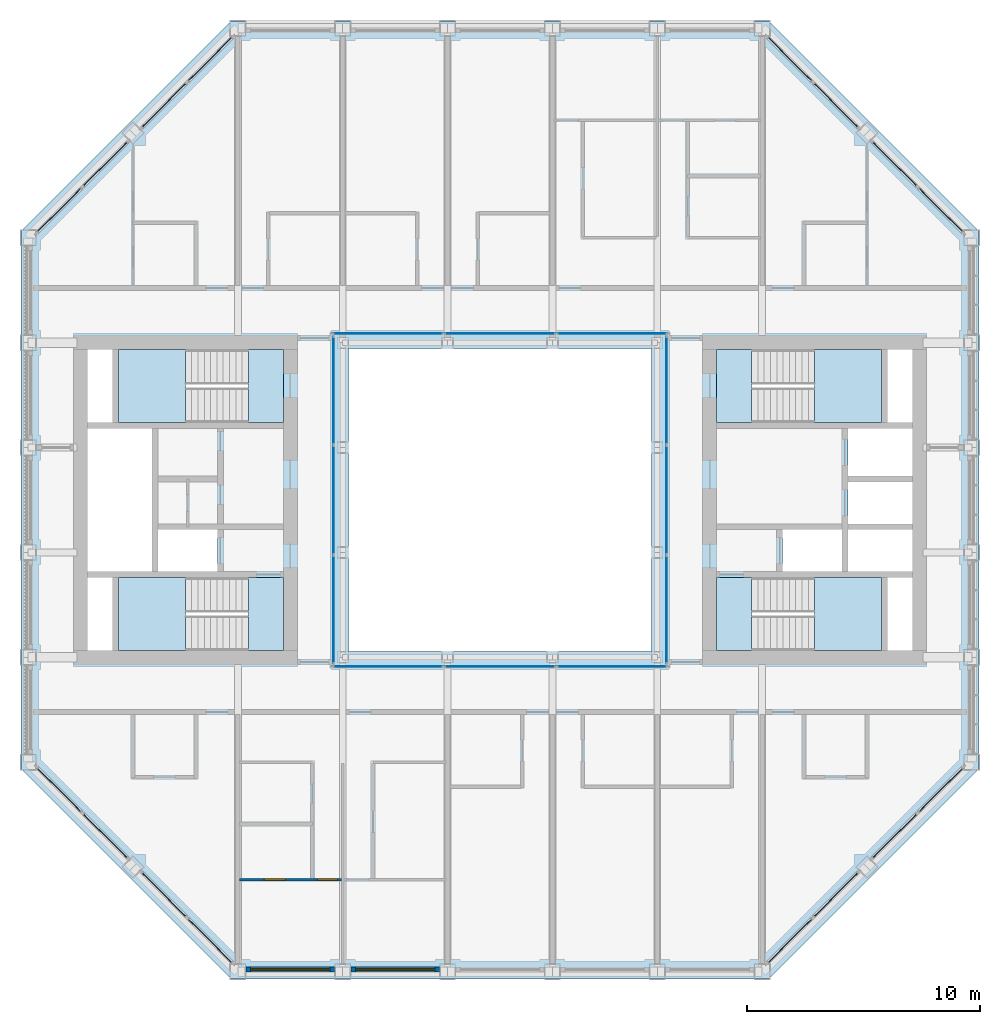
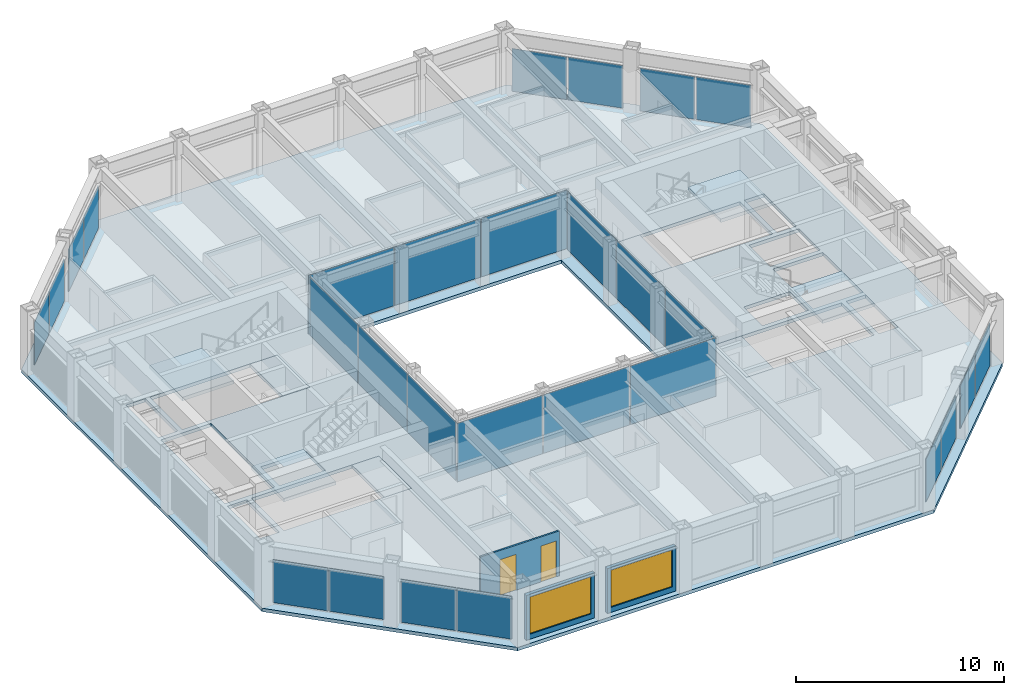
# One storey, part 8 of 18: 28 plates, 9 slabs, 3 walls, 2 doors, 2 windows, 4 openings, 16 elements without a shape of their own.
"""IFC4 building model written with IfcOpenShell, lengths in metres."""

from ifc_helpers import new_model, si_unit, direction, frame, frame_2d, origin, origin_2d, place, context, subcontext, project, spatial, polyline, rectangle, outline, extrude, material, layer, layer_set, type_object, element, fill, aggregate, save


model = new_model("IFC4")

# Units and contexts
model_context = context("Model", 3, precision=1e-05, world=origin(), true_north=direction((0.0, 1.0)))
body_context = subcontext(model_context, "Body", "Model", "MODEL_VIEW")
ifc_project = project(units=[si_unit("LENGTHUNIT", "METRE"), si_unit("AREAUNIT", "SQUARE_METRE"), si_unit("VOLUMEUNIT", "CUBIC_METRE"), si_unit("PLANEANGLEUNIT", "RADIAN"), si_unit("MASSUNIT", "GRAM", prefix="KILO")], contexts=[model_context])

# Site, building, storey
site_placement = place(None, origin())
site = spatial("IfcSite", under=ifc_project, at=site_placement, CompositionType="ELEMENT")
building_placement = place(site_placement, origin())
building = spatial("IfcBuilding", under=site, at=building_placement, Name="Msasa Ring Tower", CompositionType="ELEMENT")
storey_placement = place(building_placement, frame((0.0, 0.0, 230.800048828125)))
storey = spatial("IfcBuildingStorey", under=building, at=storey_placement, Name="L60", CompositionType="ELEMENT", Elevation=230.800048828125)

# Curtain wall, plates
ifc_material_1 = material(Name="Aluminium curtain wall with clear glass", Category="aluminium")
curtain_wall_type_1 = type_object("IfcCurtainWallType", Name="CW-C CHAMFER CORNER CURTAIN WALL", PredefinedType="NOTDEFINED", material=ifc_material_1)
curtain_wall_1_placement = place(storey_placement, origin())
curtain_wall_1 = element("IfcCurtainWall", 1, at=curtain_wall_1_placement, inside=storey, type_object=curtain_wall_type_1, Name="Chamfer corner curtain wall SE L60", PredefinedType="NOTDEFINED")
ifc_material_2 = material(Name="Clear laminated insulating glass unit", Category="glass")
ifc_layer_1 = layer(ifc_material_2, 0.031982421875)
ifc_layer_set_1 = layer_set([ifc_layer_1], Name="CW-C GLASS PANEL 32")
plate_type_1 = type_object("IfcPlateType", Name="CW-C GLASS PANEL 32", PredefinedType="CURTAIN_PANEL", material=ifc_layer_set_1)
plate_1_placement = place(storey_placement, frame((12.44140625, -18.917236328125, 0.06494140625), z_axis=(0.0, 0.0, 1.0), x_axis=(0.707106781187, 0.707106781187, 0.0)))
plate_1 = element("IfcPlate", 2, at=plate_1_placement, type_object=plate_type_1, Name="CW-C panel 1.1", PredefinedType="CURTAIN_PANEL", context=body_context, shape_type="SweptSolid", body=[
    extrude(rectangle(XDim=2.7294921875, YDim=0.031982421875, at=origin_2d()), origin(), (0.0, 0.0, 1.0), 2.4990234375),
])
plate_2_placement = place(storey_placement, frame((14.417236328125, -16.94140625, 0.06494140625), z_axis=(0.0, 0.0, 1.0), x_axis=(0.707106781187, 0.707106781187, 0.0)))
plate_2 = element("IfcPlate", 3, at=plate_2_placement, type_object=plate_type_1, Name="CW-C panel 2.1", PredefinedType="CURTAIN_PANEL", context=body_context, shape_type="SweptSolid", body=[
    extrude(rectangle(XDim=2.7294921875, YDim=0.031982421875, at=origin_2d()), origin(), (0.0, 0.0, 1.0), 2.4990234375),
])
aggregate(curtain_wall_1, [plate_1, plate_2])

curtain_wall_2_placement = place(storey_placement, origin())
curtain_wall_2 = element("IfcCurtainWall", 4, at=curtain_wall_2_placement, inside=storey, type_object=curtain_wall_type_1, Name="Chamfer corner curtain wall SE L60", PredefinedType="NOTDEFINED")
plate_3_placement = place(storey_placement, frame((16.94140625, -14.417236328125, 0.06494140625), z_axis=(0.0, 0.0, 1.0), x_axis=(0.707106781187, 0.707106781187, 0.0)))
plate_3 = element("IfcPlate", 5, at=plate_3_placement, type_object=plate_type_1, Name="CW-C panel 1.1", PredefinedType="CURTAIN_PANEL", context=body_context, shape_type="SweptSolid", body=[
    extrude(rectangle(XDim=2.7294921875, YDim=0.031982421875, at=origin_2d()), origin(), (0.0, 0.0, 1.0), 2.4990234375),
])
plate_4_placement = place(storey_placement, frame((18.917236328125, -12.44140625, 0.06494140625), z_axis=(0.0, 0.0, 1.0), x_axis=(0.707106781187, 0.707106781187, 0.0)))
plate_4 = element("IfcPlate", 6, at=plate_4_placement, type_object=plate_type_1, Name="CW-C panel 2.1", PredefinedType="CURTAIN_PANEL", context=body_context, shape_type="SweptSolid", body=[
    extrude(rectangle(XDim=2.7294921875, YDim=0.031982421875, at=origin_2d()), origin(), (0.0, 0.0, 1.0), 2.4990234375),
])
aggregate(curtain_wall_2, [plate_3, plate_4])

curtain_wall_3_placement = place(storey_placement, origin())
curtain_wall_3 = element("IfcCurtainWall", 7, at=curtain_wall_3_placement, inside=storey, type_object=curtain_wall_type_1, Name="Chamfer corner curtain wall NE L60", PredefinedType="NOTDEFINED")
plate_5_placement = place(storey_placement, frame((14.417236328125, 16.94140625, 0.06494140625), z_axis=(0.0, 0.0, 1.0), x_axis=(-0.707106781187, 0.707106781187, 0.0)))
plate_5 = element("IfcPlate", 8, at=plate_5_placement, type_object=plate_type_1, Name="CW-C panel 1.1", PredefinedType="CURTAIN_PANEL", context=body_context, shape_type="SweptSolid", body=[
    extrude(rectangle(XDim=2.7294921875, YDim=0.031982421875, at=origin_2d()), origin(), (0.0, 0.0, 1.0), 2.4990234375),
])
plate_6_placement = place(storey_placement, frame((12.44140625, 18.917236328125, 0.06494140625), z_axis=(0.0, 0.0, 1.0), x_axis=(-0.707106781187, 0.707106781187, 0.0)))
plate_6 = element("IfcPlate", 9, at=plate_6_placement, type_object=plate_type_1, Name="CW-C panel 2.1", PredefinedType="CURTAIN_PANEL", context=body_context, shape_type="SweptSolid", body=[
    extrude(rectangle(XDim=2.7294921875, YDim=0.031982421875, at=origin_2d()), origin(), (0.0, 0.0, 1.0), 2.4990234375),
])
aggregate(curtain_wall_3, [plate_5, plate_6])

curtain_wall_4_placement = place(storey_placement, origin())
curtain_wall_4 = element("IfcCurtainWall", 10, at=curtain_wall_4_placement, inside=storey, type_object=curtain_wall_type_1, Name="Chamfer corner curtain wall NE L60", PredefinedType="NOTDEFINED")
plate_7_placement = place(storey_placement, frame((18.917236328125, 12.44140625, 0.06494140625), z_axis=(0.0, 0.0, 1.0), x_axis=(-0.707106781187, 0.707106781187, 0.0)))
plate_7 = element("IfcPlate", 11, at=plate_7_placement, type_object=plate_type_1, Name="CW-C panel 1.1", PredefinedType="CURTAIN_PANEL", context=body_context, shape_type="SweptSolid", body=[
    extrude(rectangle(XDim=2.7294921875, YDim=0.031982421875, at=origin_2d()), origin(), (0.0, 0.0, 1.0), 2.4990234375),
])
plate_8_placement = place(storey_placement, frame((16.94140625, 14.417236328125, 0.06494140625), z_axis=(0.0, 0.0, 1.0), x_axis=(-0.707106781187, 0.707106781187, 0.0)))
plate_8 = element("IfcPlate", 12, at=plate_8_placement, type_object=plate_type_1, Name="CW-C panel 2.1", PredefinedType="CURTAIN_PANEL", context=body_context, shape_type="SweptSolid", body=[
    extrude(rectangle(XDim=2.7294921875, YDim=0.031982421875, at=origin_2d()), origin(), (0.0, 0.0, 1.0), 2.4990234375),
])
aggregate(curtain_wall_4, [plate_7, plate_8])

curtain_wall_5_placement = place(storey_placement, origin())
curtain_wall_5 = element("IfcCurtainWall", 13, at=curtain_wall_5_placement, inside=storey, type_object=curtain_wall_type_1, Name="Chamfer corner curtain wall NW L60", PredefinedType="NOTDEFINED")
plate_9_placement = place(storey_placement, frame((-16.94140625, 14.417236328125, 0.06494140625), z_axis=(0.0, 0.0, 1.0), x_axis=(-0.707106781187, -0.707106781187, 0.0)))
plate_9 = element("IfcPlate", 14, at=plate_9_placement, type_object=plate_type_1, Name="CW-C panel 1.1", PredefinedType="CURTAIN_PANEL", context=body_context, shape_type="SweptSolid", body=[
    extrude(rectangle(XDim=2.7294921875, YDim=0.031982421875, at=origin_2d()), origin(), (0.0, 0.0, 1.0), 2.4990234375),
])
plate_10_placement = place(storey_placement, frame((-18.917236328125, 12.44140625, 0.06494140625), z_axis=(0.0, 0.0, 1.0), x_axis=(-0.707106781187, -0.707106781187, 0.0)))
plate_10 = element("IfcPlate", 15, at=plate_10_placement, type_object=plate_type_1, Name="CW-C panel 2.1", PredefinedType="CURTAIN_PANEL", context=body_context, shape_type="SweptSolid", body=[
    extrude(rectangle(XDim=2.7294921875, YDim=0.031982421875, at=origin_2d()), origin(), (0.0, 0.0, 1.0), 2.4990234375),
])
aggregate(curtain_wall_5, [plate_9, plate_10])

curtain_wall_6_placement = place(storey_placement, origin())
curtain_wall_6 = element("IfcCurtainWall", 16, at=curtain_wall_6_placement, inside=storey, type_object=curtain_wall_type_1, Name="Chamfer corner curtain wall NW L60", PredefinedType="NOTDEFINED")
plate_11_placement = place(storey_placement, frame((-12.44140625, 18.917236328125, 0.06494140625), z_axis=(0.0, 0.0, 1.0), x_axis=(-0.707106781187, -0.707106781187, 0.0)))
plate_11 = element("IfcPlate", 17, at=plate_11_placement, type_object=plate_type_1, Name="CW-C panel 1.1", PredefinedType="CURTAIN_PANEL", context=body_context, shape_type="SweptSolid", body=[
    extrude(rectangle(XDim=2.7294921875, YDim=0.031982421875, at=origin_2d()), origin(), (0.0, 0.0, 1.0), 2.4990234375),
])
plate_12_placement = place(storey_placement, frame((-14.417236328125, 16.94140625, 0.06494140625), z_axis=(0.0, 0.0, 1.0), x_axis=(-0.707106781187, -0.707106781187, 0.0)))
plate_12 = element("IfcPlate", 18, at=plate_12_placement, type_object=plate_type_1, Name="CW-C panel 2.1", PredefinedType="CURTAIN_PANEL", context=body_context, shape_type="SweptSolid", body=[
    extrude(rectangle(XDim=2.7294921875, YDim=0.031982421875, at=origin_2d()), origin(), (0.0, 0.0, 1.0), 2.4990234375),
])
aggregate(curtain_wall_6, [plate_11, plate_12])

curtain_wall_7_placement = place(storey_placement, origin())
curtain_wall_7 = element("IfcCurtainWall", 19, at=curtain_wall_7_placement, inside=storey, type_object=curtain_wall_type_1, Name="Chamfer corner curtain wall SW L60", PredefinedType="NOTDEFINED")
plate_13_placement = place(storey_placement, frame((-18.917236328125, -12.44140625, 0.06494140625), z_axis=(0.0, 0.0, 1.0), x_axis=(0.707106781187, -0.707106781187, 0.0)))
plate_13 = element("IfcPlate", 20, at=plate_13_placement, type_object=plate_type_1, Name="CW-C panel 1.1", PredefinedType="CURTAIN_PANEL", context=body_context, shape_type="SweptSolid", body=[
    extrude(rectangle(XDim=2.7294921875, YDim=0.031982421875, at=origin_2d()), origin(), (0.0, 0.0, 1.0), 2.4990234375),
])
plate_14_placement = place(storey_placement, frame((-16.94140625, -14.417236328125, 0.06494140625), z_axis=(0.0, 0.0, 1.0), x_axis=(0.707106781187, -0.707106781187, 0.0)))
plate_14 = element("IfcPlate", 21, at=plate_14_placement, type_object=plate_type_1, Name="CW-C panel 2.1", PredefinedType="CURTAIN_PANEL", context=body_context, shape_type="SweptSolid", body=[
    extrude(rectangle(XDim=2.7294921875, YDim=0.031982421875, at=origin_2d()), origin(), (0.0, 0.0, 1.0), 2.4990234375),
])
aggregate(curtain_wall_7, [plate_13, plate_14])

curtain_wall_8_placement = place(storey_placement, origin())
curtain_wall_8 = element("IfcCurtainWall", 22, at=curtain_wall_8_placement, inside=storey, type_object=curtain_wall_type_1, Name="Chamfer corner curtain wall SW L60", PredefinedType="NOTDEFINED")
plate_15_placement = place(storey_placement, frame((-14.417236328125, -16.94140625, 0.06494140625), z_axis=(0.0, 0.0, 1.0), x_axis=(0.707106781187, -0.707106781187, 0.0)))
plate_15 = element("IfcPlate", 23, at=plate_15_placement, type_object=plate_type_1, Name="CW-C panel 1.1", PredefinedType="CURTAIN_PANEL", context=body_context, shape_type="SweptSolid", body=[
    extrude(rectangle(XDim=2.7294921875, YDim=0.031982421875, at=origin_2d()), origin(), (0.0, 0.0, 1.0), 2.4990234375),
])
plate_16_placement = place(storey_placement, frame((-12.44140625, -18.917236328125, 0.06494140625), z_axis=(0.0, 0.0, 1.0), x_axis=(0.707106781187, -0.707106781187, 0.0)))
plate_16 = element("IfcPlate", 24, at=plate_16_placement, type_object=plate_type_1, Name="CW-C panel 2.1", PredefinedType="CURTAIN_PANEL", context=body_context, shape_type="SweptSolid", body=[
    extrude(rectangle(XDim=2.7294921875, YDim=0.031982421875, at=origin_2d()), origin(), (0.0, 0.0, 1.0), 2.4990234375),
])
aggregate(curtain_wall_8, [plate_15, plate_16])

ifc_material_3 = material(Name="Aluminium curtain wall with clear glass", Category="aluminium")
curtain_wall_type_2 = type_object("IfcCurtainWallType", Name="CW-W LIGHT WELL CURTAIN WALL", PredefinedType="NOTDEFINED", material=ifc_material_3)
curtain_wall_9_placement = place(storey_placement, origin())
curtain_wall_9 = element("IfcCurtainWall", 25, at=curtain_wall_9_placement, inside=storey, type_object=curtain_wall_type_2, Name="Light well curtain wall N L60", PredefinedType="NOTDEFINED")
ifc_material_4 = material(Name="Clear laminated insulating glass unit", Category="glass")
ifc_layer_2 = layer(ifc_material_4, 0.028076171875)
ifc_layer_set_2 = layer_set([ifc_layer_2], Name="CW-W GLASS PANEL 28")
plate_type_2 = type_object("IfcPlateType", Name="CW-W GLASS PANEL 28", PredefinedType="CURTAIN_PANEL", material=ifc_layer_set_2)
plate_17_placement = place(storey_placement, frame((-4.804931640625, 7.14990234375, 0.06005859375), z_axis=(0.0, 0.0, 1.0), x_axis=(1.0, 0.0, 0.0)))
plate_17 = element("IfcPlate", 26, at=plate_17_placement, type_object=plate_type_2, Name="CW-W panel 1.1", PredefinedType="CURTAIN_PANEL", context=body_context, shape_type="SweptSolid", body=[
    extrude(rectangle(XDim=4.72998046875, YDim=0.028076171875, at=origin_2d()), origin(), (0.0, 0.0, 1.0), 3.429931640625),
])
plate_18_placement = place(storey_placement, frame((0.0, 7.14990234375, 0.06005859375), z_axis=(0.0, 0.0, 1.0), x_axis=(1.0, 0.0, 0.0)))
plate_18 = element("IfcPlate", 27, at=plate_18_placement, type_object=plate_type_2, Name="CW-W panel 2.1", PredefinedType="CURTAIN_PANEL", context=body_context, shape_type="SweptSolid", body=[
    extrude(rectangle(XDim=4.760009765625, YDim=0.028076171875, at=origin_2d()), origin(), (0.0, 0.0, 1.0), 3.429931640625),
])
plate_19_placement = place(storey_placement, frame((4.804931640625, 7.14990234375, 0.06005859375), z_axis=(0.0, 0.0, 1.0), x_axis=(1.0, 0.0, 0.0)))
plate_19 = element("IfcPlate", 28, at=plate_19_placement, type_object=plate_type_2, Name="CW-W panel 3.1", PredefinedType="CURTAIN_PANEL", context=body_context, shape_type="SweptSolid", body=[
    extrude(rectangle(XDim=4.72998046875, YDim=0.028076171875, at=origin_2d()), origin(), (0.0, 0.0, 1.0), 3.429931640625),
])
aggregate(curtain_wall_9, [plate_17, plate_18, plate_19])

curtain_wall_10_placement = place(storey_placement, origin())
curtain_wall_10 = element("IfcCurtainWall", 29, at=curtain_wall_10_placement, inside=storey, type_object=curtain_wall_type_2, Name="Light well curtain wall S L60", PredefinedType="NOTDEFINED")
plate_20_placement = place(storey_placement, frame((-4.804931640625, -7.14990234375, 0.06005859375), z_axis=(0.0, 0.0, 1.0), x_axis=(1.0, 0.0, 0.0)))
plate_20 = element("IfcPlate", 30, at=plate_20_placement, type_object=plate_type_2, Name="CW-W panel 1.1", PredefinedType="CURTAIN_PANEL", context=body_context, shape_type="SweptSolid", body=[
    extrude(rectangle(XDim=4.72998046875, YDim=0.028076171875, at=origin_2d()), origin(), (0.0, 0.0, 1.0), 3.429931640625),
])
plate_21_placement = place(storey_placement, frame((0.0, -7.14990234375, 0.06005859375), z_axis=(0.0, 0.0, 1.0), x_axis=(1.0, 0.0, 0.0)))
plate_21 = element("IfcPlate", 31, at=plate_21_placement, type_object=plate_type_2, Name="CW-W panel 2.1", PredefinedType="CURTAIN_PANEL", context=body_context, shape_type="SweptSolid", body=[
    extrude(rectangle(XDim=4.760009765625, YDim=0.028076171875, at=origin_2d()), origin(), (0.0, 0.0, 1.0), 3.429931640625),
])
plate_22_placement = place(storey_placement, frame((4.804931640625, -7.14990234375, 0.06005859375), z_axis=(0.0, 0.0, 1.0), x_axis=(1.0, 0.0, 0.0)))
plate_22 = element("IfcPlate", 32, at=plate_22_placement, type_object=plate_type_2, Name="CW-W panel 3.1", PredefinedType="CURTAIN_PANEL", context=body_context, shape_type="SweptSolid", body=[
    extrude(rectangle(XDim=4.72998046875, YDim=0.028076171875, at=origin_2d()), origin(), (0.0, 0.0, 1.0), 3.429931640625),
])
aggregate(curtain_wall_10, [plate_20, plate_21, plate_22])

curtain_wall_11_placement = place(storey_placement, origin())
curtain_wall_11 = element("IfcCurtainWall", 33, at=curtain_wall_11_placement, inside=storey, type_object=curtain_wall_type_2, Name="Light well curtain wall E L60", PredefinedType="NOTDEFINED")
plate_23_placement = place(storey_placement, frame((7.14990234375, -4.6982421875, 0.06005859375), z_axis=(0.0, 0.0, 1.0), x_axis=(0.0, 1.0, 0.0)))
plate_23 = element("IfcPlate", 34, at=plate_23_placement, type_object=plate_type_2, Name="CW-W panel 1.1", PredefinedType="CURTAIN_PANEL", context=body_context, shape_type="SweptSolid", body=[
    extrude(rectangle(XDim=4.623291015625, YDim=0.028076171875, at=origin_2d()), origin(), (0.0, 0.0, 1.0), 3.429931640625),
])
plate_24_placement = place(storey_placement, frame((7.14990234375, 0.0, 0.06005859375), z_axis=(0.0, 0.0, 1.0), x_axis=(0.0, 1.0, 0.0)))
plate_24 = element("IfcPlate", 35, at=plate_24_placement, type_object=plate_type_2, Name="CW-W panel 2.1", PredefinedType="CURTAIN_PANEL", context=body_context, shape_type="SweptSolid", body=[
    extrude(rectangle(XDim=4.6533203125, YDim=0.028076171875, at=origin_2d()), origin(), (0.0, 0.0, 1.0), 3.429931640625),
])
plate_25_placement = place(storey_placement, frame((7.14990234375, 4.6982421875, 0.06005859375), z_axis=(0.0, 0.0, 1.0), x_axis=(0.0, 1.0, 0.0)))
plate_25 = element("IfcPlate", 36, at=plate_25_placement, type_object=plate_type_2, Name="CW-W panel 3.1", PredefinedType="CURTAIN_PANEL", context=body_context, shape_type="SweptSolid", body=[
    extrude(rectangle(XDim=4.623291015625, YDim=0.028076171875, at=origin_2d()), origin(), (0.0, 0.0, 1.0), 3.429931640625),
])
aggregate(curtain_wall_11, [plate_23, plate_24, plate_25])

curtain_wall_12_placement = place(storey_placement, origin())
curtain_wall_12 = element("IfcCurtainWall", 37, at=curtain_wall_12_placement, inside=storey, type_object=curtain_wall_type_2, Name="Light well curtain wall W L60", PredefinedType="NOTDEFINED")
plate_26_placement = place(storey_placement, frame((-7.14990234375, -4.6982421875, 0.06005859375), z_axis=(0.0, 0.0, 1.0), x_axis=(0.0, 1.0, 0.0)))
plate_26 = element("IfcPlate", 38, at=plate_26_placement, type_object=plate_type_2, Name="CW-W panel 1.1", PredefinedType="CURTAIN_PANEL", context=body_context, shape_type="SweptSolid", body=[
    extrude(rectangle(XDim=4.623291015625, YDim=0.028076171875, at=origin_2d()), origin(), (0.0, 0.0, 1.0), 3.429931640625),
])
plate_27_placement = place(storey_placement, frame((-7.14990234375, 0.0, 0.06005859375), z_axis=(0.0, 0.0, 1.0), x_axis=(0.0, 1.0, 0.0)))
plate_27 = element("IfcPlate", 39, at=plate_27_placement, type_object=plate_type_2, Name="CW-W panel 2.1", PredefinedType="CURTAIN_PANEL", context=body_context, shape_type="SweptSolid", body=[
    extrude(rectangle(XDim=4.6533203125, YDim=0.028076171875, at=origin_2d()), origin(), (0.0, 0.0, 1.0), 3.429931640625),
])
plate_28_placement = place(storey_placement, frame((-7.14990234375, 4.6982421875, 0.06005859375), z_axis=(0.0, 0.0, 1.0), x_axis=(0.0, 1.0, 0.0)))
plate_28 = element("IfcPlate", 40, at=plate_28_placement, type_object=plate_type_2, Name="CW-W panel 3.1", PredefinedType="CURTAIN_PANEL", context=body_context, shape_type="SweptSolid", body=[
    extrude(rectangle(XDim=4.623291015625, YDim=0.028076171875, at=origin_2d()), origin(), (0.0, 0.0, 1.0), 3.429931640625),
])
aggregate(curtain_wall_12, [plate_26, plate_27, plate_28])

# Stair, slabs
ifc_material_5 = material(Name="Concrete C40/50", Category="concrete")
stair_type = type_object("IfcStairType", Name="STC CORE STAIR 22 RISERS 170.5", PredefinedType="HALF_TURN_STAIR", material=ifc_material_5)
stair_1_placement = place(storey_placement, origin())
stair_1 = element("IfcStair", 41, at=stair_1_placement, inside=storey, type_object=stair_type, Name="Core stair SEA L60", PredefinedType="HALF_TURN_STAIR")
ifc_material_6 = material(Name="Concrete C40/50", Category="concrete")
ifc_layer_3 = layer(ifc_material_6, 0.199951171875)
ifc_layer_set_3 = layer_set([ifc_layer_3], Name="LD1 CORE STAIR LANDING 200")
slab_type_1 = type_object("IfcSlabType", Name="LD1 CORE STAIR LANDING 200", PredefinedType="LANDING", material=ifc_layer_set_3)
slab_1_placement = place(storey_placement, frame((0.0, 0.0, -0.199951171875)))
slab_1 = element("IfcSlab", 42, at=slab_1_placement, type_object=slab_type_1, Name="SEA landing 1", PredefinedType="LANDING", context=body_context, shape_type="SweptSolid", body=[
    extrude(outline(polyline([(9.300048828125, -6.449951171875), (10.800048828125, -6.449951171875), (10.800048828125, -3.324951171875), (9.300048828125, -3.324951171875), (9.300048828125, -6.449951171875)])), origin(), (0.0, 0.0, 1.0), 0.199951171875),
])
slab_2_placement = place(storey_placement, frame((0.0, 0.0, 1.675048828125)))
slab_2 = element("IfcSlab", 43, at=slab_2_placement, type_object=slab_type_1, Name="SEA landing 2", PredefinedType="LANDING", context=body_context, shape_type="SweptSolid", body=[
    extrude(outline(polyline([(13.5, -6.449951171875), (16.375, -6.449951171875), (16.375, -3.324951171875), (13.5, -3.324951171875), (13.5, -6.449951171875)])), origin(), (0.0, 0.0, 1.0), 0.199951171875),
])
aggregate(stair_1, [slab_1, slab_2])

stair_2_placement = place(storey_placement, origin())
stair_2 = element("IfcStair", 44, at=stair_2_placement, inside=storey, type_object=stair_type, Name="Core stair SEB L60", PredefinedType="HALF_TURN_STAIR")
slab_3_placement = place(storey_placement, frame((0.0, 0.0, -0.199951171875)))
slab_3 = element("IfcSlab", 45, at=slab_3_placement, type_object=slab_type_1, Name="SEB landing 1", PredefinedType="LANDING", context=body_context, shape_type="SweptSolid", body=[
    extrude(outline(polyline([(9.300048828125, 3.324951171875), (10.800048828125, 3.324951171875), (10.800048828125, 6.449951171875), (9.300048828125, 6.449951171875), (9.300048828125, 3.324951171875)])), origin(), (0.0, 0.0, 1.0), 0.199951171875),
])
slab_4_placement = place(storey_placement, frame((0.0, 0.0, 1.675048828125)))
slab_4 = element("IfcSlab", 46, at=slab_4_placement, type_object=slab_type_1, Name="SEB landing 2", PredefinedType="LANDING", context=body_context, shape_type="SweptSolid", body=[
    extrude(outline(polyline([(13.5, 3.324951171875), (16.375, 3.324951171875), (16.375, 6.449951171875), (13.5, 6.449951171875), (13.5, 3.324951171875)])), origin(), (0.0, 0.0, 1.0), 0.199951171875),
])
aggregate(stair_2, [slab_3, slab_4])

stair_3_placement = place(storey_placement, origin())
stair_3 = element("IfcStair", 47, at=stair_3_placement, inside=storey, type_object=stair_type, Name="Core stair SWA L60", PredefinedType="HALF_TURN_STAIR")
slab_5_placement = place(storey_placement, frame((0.0, 0.0, -0.199951171875)))
slab_5 = element("IfcSlab", 48, at=slab_5_placement, type_object=slab_type_1, Name="SWA landing 1", PredefinedType="LANDING", context=body_context, shape_type="SweptSolid", body=[
    extrude(outline(polyline([(-10.800048828125, -6.449951171875), (-9.300048828125, -6.449951171875), (-9.300048828125, -3.324951171875), (-10.800048828125, -3.324951171875), (-10.800048828125, -6.449951171875)])), origin(), (0.0, 0.0, 1.0), 0.199951171875),
])
slab_6_placement = place(storey_placement, frame((0.0, 0.0, 1.675048828125)))
slab_6 = element("IfcSlab", 49, at=slab_6_placement, type_object=slab_type_1, Name="SWA landing 2", PredefinedType="LANDING", context=body_context, shape_type="SweptSolid", body=[
    extrude(outline(polyline([(-16.375, -6.449951171875), (-13.5, -6.449951171875), (-13.5, -3.324951171875), (-16.375, -3.324951171875), (-16.375, -6.449951171875)])), origin(), (0.0, 0.0, 1.0), 0.199951171875),
])
aggregate(stair_3, [slab_5, slab_6])

stair_4_placement = place(storey_placement, origin())
stair_4 = element("IfcStair", 50, at=stair_4_placement, inside=storey, type_object=stair_type, Name="Core stair SWB L60", PredefinedType="HALF_TURN_STAIR")
slab_7_placement = place(storey_placement, frame((0.0, 0.0, -0.199951171875)))
slab_7 = element("IfcSlab", 51, at=slab_7_placement, type_object=slab_type_1, Name="SWB landing 1", PredefinedType="LANDING", context=body_context, shape_type="SweptSolid", body=[
    extrude(outline(polyline([(-10.800048828125, 3.324951171875), (-9.300048828125, 3.324951171875), (-9.300048828125, 6.449951171875), (-10.800048828125, 6.449951171875), (-10.800048828125, 3.324951171875)])), origin(), (0.0, 0.0, 1.0), 0.199951171875),
])
slab_8_placement = place(storey_placement, frame((0.0, 0.0, 1.675048828125)))
slab_8 = element("IfcSlab", 52, at=slab_8_placement, type_object=slab_type_1, Name="SWB landing 2", PredefinedType="LANDING", context=body_context, shape_type="SweptSolid", body=[
    extrude(outline(polyline([(-16.375, 3.324951171875), (-13.5, 3.324951171875), (-13.5, 6.449951171875), (-16.375, 6.449951171875), (-16.375, 3.324951171875)])), origin(), (0.0, 0.0, 1.0), 0.199951171875),
])
aggregate(stair_4, [slab_7, slab_8])

# Slab
ifc_material_7 = material(Name="Concrete C40/50", Category="concrete")
ifc_layer_4 = layer(ifc_material_7, 0.199951171875)
ifc_layer_set_4 = layer_set([ifc_layer_4], Name="S8 SUITE FLOOR 200")
slab_type_2 = type_object("IfcSlabType", Name="S8 SUITE FLOOR 200", PredefinedType="FLOOR", material=ifc_layer_set_4)
slab_9_placement = place(storey_placement, frame((0.0, 0.0, -0.199951171875)))
element("IfcSlab", 53, at=slab_9_placement, inside=storey, type_object=slab_type_2, Name="Floor slab L60", PredefinedType="FLOOR", context=body_context, shape_type="SweptSolid", body=[
    extrude(outline(polyline([(-11.550048828125, -20.550048828125), (11.550048828125, -20.550048828125), (20.550048828125, -11.550048828125), (20.550048828125, 11.550048828125), (11.550048828125, 20.550048828125), (-11.550048828125, 20.550048828125), (-20.550048828125, 11.550048828125), (-20.550048828125, -11.550048828125), (-11.550048828125, -20.550048828125)]), holes=[polyline([(-6.5, -6.5), (6.5, -6.5), (6.5, 6.5), (-6.5, 6.5), (-6.5, -6.5)]), polyline([(9.300048828125, -6.449951171875), (16.375, -6.449951171875), (16.375, -3.324951171875), (9.300048828125, -3.324951171875), (9.300048828125, -6.449951171875)]), polyline([(9.300048828125, 3.324951171875), (16.375, 3.324951171875), (16.375, 6.449951171875), (9.300048828125, 6.449951171875), (9.300048828125, 3.324951171875)]), polyline([(12.125, -3.074951171875), (14.675048828125, -3.074951171875), (14.675048828125, -1.27490234375), (12.125, -1.27490234375), (12.125, -3.074951171875)]), polyline([(16.625, -6.449951171875), (17.699951171875, -6.449951171875), (17.699951171875, -3.324951171875), (16.625, -3.324951171875), (16.625, -6.449951171875)]), polyline([(16.625, 3.324951171875), (17.699951171875, 3.324951171875), (17.699951171875, 6.449951171875), (16.625, 6.449951171875), (16.625, 3.324951171875)]), polyline([(14.925048828125, -3.074951171875), (17.699951171875, -3.074951171875), (17.699951171875, -1.27490234375), (14.925048828125, -1.27490234375), (14.925048828125, -3.074951171875)]), polyline([(14.925048828125, -1.02490234375), (17.699951171875, -1.02490234375), (17.699951171875, 0.77490234375), (14.925048828125, 0.77490234375), (14.925048828125, -1.02490234375)]), polyline([(14.925048828125, 1.02490234375), (17.699951171875, 1.02490234375), (17.699951171875, 3.074951171875), (14.925048828125, 3.074951171875), (14.925048828125, 1.02490234375)]), polyline([(-16.375, -6.449951171875), (-9.300048828125, -6.449951171875), (-9.300048828125, -3.324951171875), (-16.375, -3.324951171875), (-16.375, -6.449951171875)]), polyline([(-16.375, 3.324951171875), (-9.300048828125, 3.324951171875), (-9.300048828125, 6.449951171875), (-16.375, 6.449951171875), (-16.375, 3.324951171875)]), polyline([(-14.675048828125, -3.074951171875), (-12.125, -3.074951171875), (-12.125, -1.27490234375), (-14.675048828125, -1.27490234375), (-14.675048828125, -3.074951171875)]), polyline([(-17.699951171875, -6.449951171875), (-16.625, -6.449951171875), (-16.625, -3.324951171875), (-17.699951171875, -3.324951171875), (-17.699951171875, -6.449951171875)]), polyline([(-17.699951171875, 3.324951171875), (-16.625, 3.324951171875), (-16.625, 6.449951171875), (-17.699951171875, 6.449951171875), (-17.699951171875, 3.324951171875)]), polyline([(-17.699951171875, -3.074951171875), (-14.925048828125, -3.074951171875), (-14.925048828125, 3.074951171875), (-17.699951171875, 3.074951171875), (-17.699951171875, -3.074951171875)])]), origin(), (0.0, 0.0, 1.0), 0.199951171875),
])

# Wall, opening, window
ifc_material_8 = material(Name="Terracotta rainscreen on blockwork", Category="masonry")
ifc_layer_5 = layer(ifc_material_8, 0.199951171875)
ifc_layer_set_5 = layer_set([ifc_layer_5], Name="FW1 TERRACOTTA-LINED INFILL BAY WALL 200")
wall_type_1 = type_object("IfcWallType", Name="FW1 TERRACOTTA-LINED INFILL BAY WALL 200", PredefinedType="SOLIDWALL", material=ifc_layer_set_5)
wall_1_placement = place(storey_placement, frame((-10.89501953125, -20.14990234375, 0.0), z_axis=(0.0, 0.0, 1.0), x_axis=(1.0, 0.0, 0.0)))
wall_1 = element("IfcWall", 54, at=wall_1_placement, inside=storey, type_object=wall_type_1, Name="Infill bay wall S L60 00", PredefinedType="SOLIDWALL", context=body_context, shape_type="SweptSolid", body=[
    extrude(rectangle(XDim=3.7900390625, YDim=0.199951171875, at=frame_2d((1.89501953125, 0.0))), origin(), (0.0, 0.0, 1.0), 2.62890625),
])
opening_1_placement = place(wall_1_placement, frame((0.195068359375, 0.0, 0.300048828125)))
opening_1 = element("IfcOpeningElement", 55, at=opening_1_placement, cuts=wall_1, Name="Opening WN3", PredefinedType="OPENING", context=body_context, shape_type="SweptSolid", body=[
    extrude(rectangle(XDim=3.39990234375, YDim=2.178955078125, at=frame_2d((1.699951171875, 1.08935546875))), frame((0.0, 0.10986328125, 0.0), z_axis=(0.0, -1.0, 0.0), x_axis=(1.0, 0.0, 0.0)), (0.0, 0.0, 1.0), 0.219970703125),
])
ifc_material_9 = material(Name="Aluminium frame with clear glass", Category="aluminium")
window_type = type_object("IfcWindowType", Name="WN3 SUITE WINDOW 3400x2179", PartitioningType="SINGLE_PANEL", PredefinedType="WINDOW", material=ifc_material_9)
window_1_placement = place(opening_1_placement, origin())
window_1 = element("IfcWindow", 56, at=window_1_placement, inside=storey, type_object=window_type, Name="Window S L60 00", OverallHeight=2.178955078125, OverallWidth=3.39990234375, PartitioningType="SINGLE_PANEL", PredefinedType="WINDOW", context=body_context, shape_type="SweptSolid", body=[
    extrude(rectangle(XDim=3.39990234375, YDim=2.178955078125, at=frame_2d((1.699951171875, 1.08935546875))), frame((0.0, 0.030029296875, 0.0), z_axis=(0.0, -1.0, 0.0), x_axis=(1.0, 0.0, 0.0)), (0.0, 0.0, 1.0), 0.06005859375),
])
fill(opening_1, window_1)

wall_2_placement = place(storey_placement, frame((-6.39501953125, -20.14990234375, 0.0), z_axis=(0.0, 0.0, 1.0), x_axis=(1.0, 0.0, 0.0)))
wall_2 = element("IfcWall", 57, at=wall_2_placement, inside=storey, type_object=wall_type_1, Name="Infill bay wall S L60 01", PredefinedType="SOLIDWALL", context=body_context, shape_type="SweptSolid", body=[
    extrude(rectangle(XDim=3.7900390625, YDim=0.199951171875, at=frame_2d((1.89501953125, 0.0))), origin(), (0.0, 0.0, 1.0), 2.62890625),
])
opening_2_placement = place(wall_2_placement, frame((0.195068359375, 0.0, 0.300048828125)))
opening_2 = element("IfcOpeningElement", 58, at=opening_2_placement, cuts=wall_2, Name="Opening WN3", PredefinedType="OPENING", context=body_context, shape_type="SweptSolid", body=[
    extrude(rectangle(XDim=3.39990234375, YDim=2.178955078125, at=frame_2d((1.699951171875, 1.08935546875))), frame((0.0, 0.10986328125, 0.0), z_axis=(0.0, -1.0, 0.0), x_axis=(1.0, 0.0, 0.0)), (0.0, 0.0, 1.0), 0.219970703125),
])
window_2_placement = place(opening_2_placement, origin())
window_2 = element("IfcWindow", 59, at=window_2_placement, inside=storey, type_object=window_type, Name="Window S L60 01", OverallHeight=2.178955078125, OverallWidth=3.39990234375, PartitioningType="SINGLE_PANEL", PredefinedType="WINDOW", context=body_context, shape_type="SweptSolid", body=[
    extrude(rectangle(XDim=3.39990234375, YDim=2.178955078125, at=frame_2d((1.699951171875, 1.08935546875))), frame((0.0, 0.030029296875, 0.0), z_axis=(0.0, -1.0, 0.0), x_axis=(1.0, 0.0, 0.0)), (0.0, 0.0, 1.0), 0.06005859375),
])
fill(opening_2, window_2)

# Wall, openings, doors
ifc_material_10 = material(Name="Gypsum board on steel studs", Category="steel")
ifc_layer_6 = layer(ifc_material_10, 0.10009765625)
ifc_layer_set_6 = layer_set([ifc_layer_6], Name="PT2 STUD PARTITION 100")
wall_type_2 = type_object("IfcWallType", Name="PT2 STUD PARTITION 100", PredefinedType="PARTITIONING", material=ifc_layer_set_6)
wall_3_placement = place(storey_placement, frame((-11.18994140625, -16.300048828125, 0.0), z_axis=(0.0, 0.0, 1.0), x_axis=(1.0, 0.0, 0.0)))
wall_3 = element("IfcWall", 60, at=wall_3_placement, inside=storey, type_object=wall_type_2, Name="Partition L60-JS00SY1", PredefinedType="PARTITIONING", context=body_context, shape_type="SweptSolid", body=[
    extrude(rectangle(XDim=4.389892578125, YDim=0.10009765625, at=frame_2d((2.19482421875, 0.0))), origin(), (0.0, 0.0, 1.0), 2.62890625),
])
opening_3_placement = place(wall_3_placement, frame((3.364990234375, 0.0, 0.0)))
opening_3 = element("IfcOpeningElement", 61, at=opening_3_placement, cuts=wall_3, Name="Opening SC-050", PredefinedType="OPENING", context=body_context, shape_type="SweptSolid", body=[
    extrude(rectangle(XDim=0.85009765625, YDim=2.10009765625, at=frame_2d((0.425048828125, 1.050048828125))), frame((0.0, 0.06005859375, 0.0), z_axis=(0.0, -1.0, 0.0), x_axis=(1.0, 0.0, 0.0)), (0.0, 0.0, 1.0), 0.1201171875),
])
opening_4_placement = place(wall_3_placement, frame((1.080078125, 0.0, 0.0)))
opening_4 = element("IfcOpeningElement", 62, at=opening_4_placement, cuts=wall_3, Name="Opening SC-049", PredefinedType="OPENING", context=body_context, shape_type="SweptSolid", body=[
    extrude(rectangle(XDim=0.89990234375, YDim=2.10009765625, at=frame_2d((0.449951171875, 1.050048828125))), frame((0.0, 0.06005859375, 0.0), z_axis=(0.0, -1.0, 0.0), x_axis=(1.0, 0.0, 0.0)), (0.0, 0.0, 1.0), 0.1201171875),
])
ifc_material_11 = material(Name="Timber door leaf in a steel frame", Category="steel")
door_type_1 = type_object("IfcDoorType", Name="D14 BEDROOM DOOR 850x2100", OperationType="SINGLE_SWING_LEFT", PredefinedType="DOOR", material=ifc_material_11)
door_1_placement = place(opening_3_placement, origin())
door_1 = element("IfcDoor", 63, at=door_1_placement, inside=storey, type_object=door_type_1, Name="Door L60-JS00R1", OperationType="SINGLE_SWING_RIGHT", OverallHeight=2.10009765625, OverallWidth=0.85009765625, PredefinedType="DOOR", context=body_context, shape_type="SweptSolid", body=[
    extrude(rectangle(XDim=0.85009765625, YDim=2.10009765625, at=frame_2d((0.425048828125, 1.050048828125))), frame((0.0, 0.02490234375, 0.0), z_axis=(0.0, -1.0, 0.0), x_axis=(1.0, 0.0, 0.0)), (0.0, 0.0, 1.0), 0.050048828125),
])
fill(opening_3, door_1)
ifc_material_12 = material(Name="Timber door leaf in a steel frame", Category="steel")
door_type_2 = type_object("IfcDoorType", Name="D3 BATHROOM DOOR 900x2100", OperationType="SINGLE_SWING_LEFT", PredefinedType="DOOR", material=ifc_material_12)
door_2_placement = place(opening_4_placement, origin())
door_2 = element("IfcDoor", 64, at=door_2_placement, inside=storey, type_object=door_type_2, Name="Door L60-JS00B1", OperationType="SINGLE_SWING_LEFT", OverallHeight=2.10009765625, OverallWidth=0.89990234375, PredefinedType="DOOR", context=body_context, shape_type="SweptSolid", body=[
    extrude(rectangle(XDim=0.89990234375, YDim=2.10009765625, at=frame_2d((0.449951171875, 1.050048828125))), frame((0.0, 0.02490234375, 0.0), z_axis=(0.0, -1.0, 0.0), x_axis=(1.0, 0.0, 0.0)), (0.0, 0.0, 1.0), 0.050048828125),
])
fill(opening_4, door_2)

save(model, "model.ifc")
